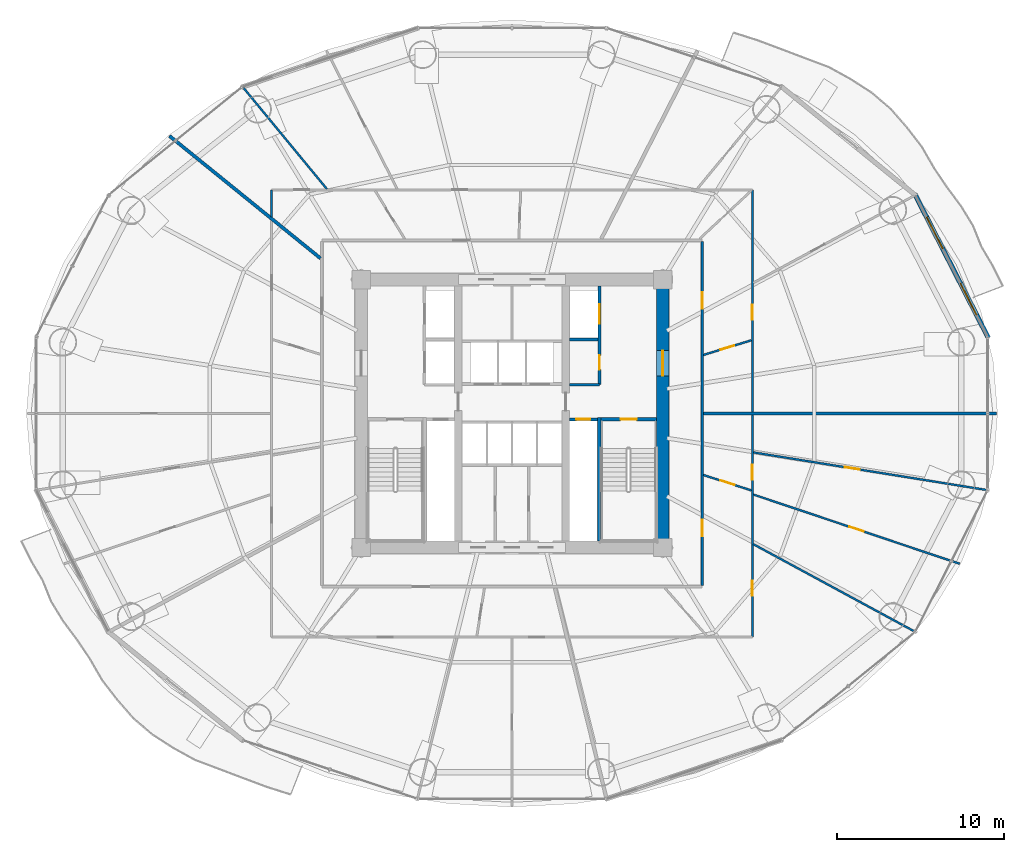
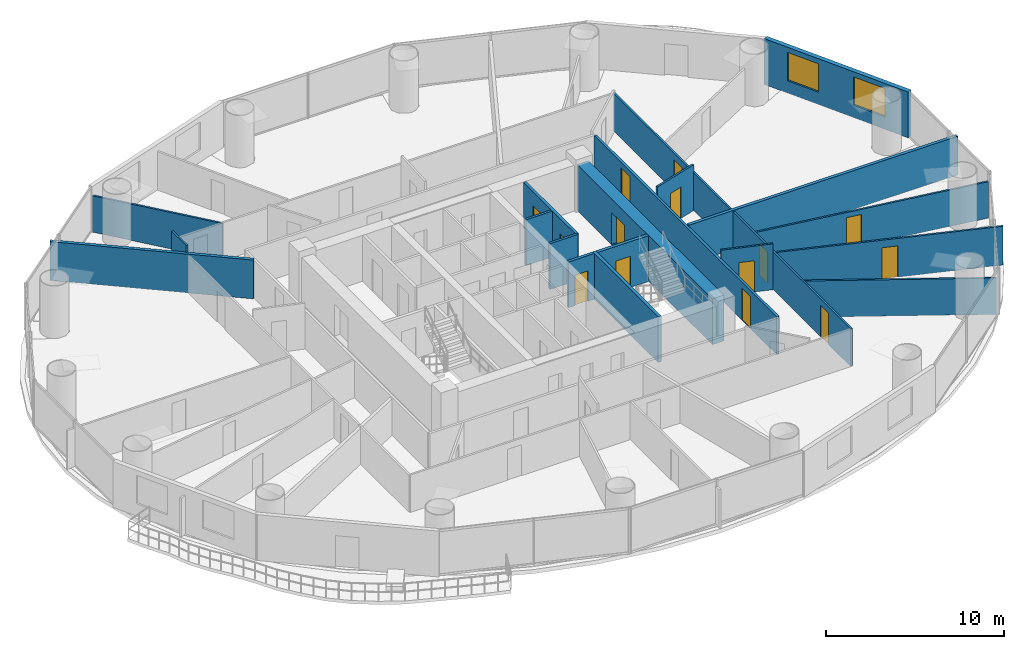
# One storey, part 24 of 29: 20 walls, 14 doors, 2 windows, 16 openings.
"""IFC4 building model written with IfcOpenShell, lengths in metres."""

from ifc_helpers import new_model, si_unit, direction, frame, frame_2d, origin, place, context, subcontext, project, spatial, rectangle, extrude, source, transform, mapped, material, layer, layer_set, type_object, element, fill, save


model = new_model("IFC4")

# Units and contexts
model_context = context("Model", 3, precision=1e-05, world=origin(), true_north=direction((-0.2419218956, 0.970295726276)))
body_context = subcontext(model_context, "Body", "Model", "MODEL_VIEW")
ifc_project = project(units=[si_unit("LENGTHUNIT", "METRE"), si_unit("AREAUNIT", "SQUARE_METRE"), si_unit("VOLUMEUNIT", "CUBIC_METRE"), si_unit("PLANEANGLEUNIT", "RADIAN"), si_unit("MASSUNIT", "GRAM", prefix="KILO")], contexts=[model_context])

# Site, building, storey
site_placement = place(None, origin())
site = spatial("IfcSite", under=ifc_project, at=site_placement, CompositionType="ELEMENT")
building_placement = place(site_placement, origin())
building = spatial("IfcBuilding", under=site, at=building_placement, Name="Cobrevalo Terracotta Tower", CompositionType="ELEMENT")
storey_placement = place(building_placement, frame((0.0, 0.0, 70.800048828125)))
storey = spatial("IfcBuildingStorey", under=building, at=storey_placement, Name="L18", CompositionType="ELEMENT", Elevation=70.800048828125)

# Wall, opening, door
ifc_material_1 = material(Name="Concrete C60", Category="concrete")
ifc_layer_1 = layer(ifc_material_1, 0.75)
ifc_layer_set_1 = layer_set([ifc_layer_1], Name="Concrete C60")
wall_type_1 = type_object("IfcWallType", Name="Core shear wall 750 mm Concrete C60", PredefinedType="SHEAR", material=ifc_layer_set_1)
wall_1_placement = place(storey_placement, frame((47.0, 19.175048828125, 0.0), z_axis=(0.0, 0.0, 1.0), x_axis=(0.0, 1.0, 0.0)))
wall_1 = element("IfcWall", 1, at=wall_1_placement, inside=storey, type_object=wall_type_1, Name="L18 east core shear wall", PredefinedType="SHEAR", context=body_context, shape_type="SweptSolid", body=[
    extrude(rectangle(XDim=15.25, YDim=0.75, at=frame_2d((7.625, 0.0))), origin(), (0.0, 0.0, 1.0), 3.14990234375),
])
opening_1_placement = place(wall_1_placement, frame((9.875, 0.0, 0.0)))
opening_1 = element("IfcOpeningElement", 2, at=opening_1_placement, cuts=wall_1, Name="Opening ID-14", PredefinedType="OPENING", context=body_context, shape_type="SweptSolid", body=[
    extrude(rectangle(XDim=1.5, YDim=2.199951171875, at=frame_2d((0.75, 1.10009765625))), frame((0.0, 0.385009765625, 0.0), z_axis=(0.0, -1.0, 0.0), x_axis=(1.0, 0.0, 0.0)), (0.0, 0.0, 1.0), 0.77001953125),
])
ifc_material_2 = material(Name="Galvanized fire-rated steel", Category="steel")
door_type_1 = type_object("IfcDoorType", Name="Core cross-lobby double fire door 1500x2200 EI 90", OperationType="NOTDEFINED", PredefinedType="DOOR", material=ifc_material_2)
shared_shape_1 = source(origin(), body_context, "Body", "SweptSolid", [
    extrude(rectangle(XDim=1.5, YDim=2.199951171875, at=frame_2d((0.75, 1.10009765625))), frame((0.0, 0.02490234375, 0.0), z_axis=(0.0, -1.0, 0.0), x_axis=(1.0, 0.0, 0.0)), (0.0, 0.0, 1.0), 0.050048828125),
])
door_1_placement = place(opening_1_placement, frame((1.5, 0.0, 0.0), z_axis=(0.0, 0.0, 1.0), x_axis=(-1.0, 0.0, 0.0)))
door_1 = element("IfcDoor", 3, at=door_1_placement, inside=storey, type_object=door_type_1, Name="L18 east firefighting lobby entrance door", OperationType="DOUBLE_DOOR_SINGLE_SWING", OverallHeight=2.199951171875, OverallWidth=1.5, PredefinedType="DOOR", context=body_context, shape_type="MappedRepresentation", body=[
    mapped(shared_shape_1, transform((0.0, 0.0, 0.0), scale=1.0)),
])
fill(opening_1, door_1)

# Walls
ifc_material_3 = material(Name="Gypsum board on steel stud", Category="steel")
ifc_layer_2 = layer(ifc_material_3, 0.159912109375)
ifc_layer_set_2 = layer_set([ifc_layer_2], Name="Gypsum board on steel stud")
wall_type_2 = type_object("IfcWallType", Name="Fire-rated corridor acoustic partition wall 160 mm", PredefinedType="PARTITIONING", material=ifc_layer_set_2)
wall_2_placement = place(storey_placement, frame((41.425048828125, 31.219970703125, 0.0), z_axis=(0.0, 0.0, 1.0), x_axis=(1.0, 0.0, 0.0)))
element("IfcWall", 4, at=wall_2_placement, inside=storey, type_object=wall_type_2, Name="L18 interior partition IW-L18-FF2-M", PredefinedType="PARTITIONING", context=body_context, shape_type="SweptSolid", body=[
    extrude(rectangle(XDim=1.71484375, YDim=0.159912109375, at=frame_2d((0.857421875, 0.0))), origin(), (0.0, 0.0, 1.0), 3.14990234375),
])
wall_3_placement = place(storey_placement, frame((41.425048828125, 28.52001953125, 0.0), z_axis=(0.0, 0.0, 1.0), x_axis=(1.0, 0.0, 0.0)))
element("IfcWall", 5, at=wall_3_placement, inside=storey, type_object=wall_type_2, Name="L18 interior partition IW-L18-FF2-S", PredefinedType="PARTITIONING", context=body_context, shape_type="SweptSolid", body=[
    extrude(rectangle(XDim=1.804931640625, YDim=0.159912109375, at=frame_2d((0.90234375, 0.0))), origin(), (0.0, 0.0, 1.0), 3.14990234375),
])

# Wall, openings, doors
wall_4_placement = place(storey_placement, frame((49.35498046875, 16.52490234375, 0.0), z_axis=(0.0, 0.0, 1.0), x_axis=(0.0, 1.0, 0.0)))
wall_4 = element("IfcWall", 6, at=wall_4_placement, inside=storey, type_object=wall_type_2, Name="L18 interior partition IW-L18-COR-E", PredefinedType="PARTITIONING", context=body_context, shape_type="SweptSolid", body=[
    extrude(rectangle(XDim=20.550048828125, YDim=0.159912109375, at=frame_2d((10.27490234375, 0.0))), origin(), (0.0, 0.0, 1.0), 2.595947265625),
])
opening_2_placement = place(wall_4_placement, frame((16.537109375, 0.0, 0.0)))
opening_2 = element("IfcOpeningElement", 7, at=opening_2_placement, cuts=wall_4, Name="Opening ID-05", PredefinedType="OPENING", context=body_context, shape_type="SweptSolid", body=[
    extrude(rectangle(XDim=0.97998046875, YDim=2.199951171875, at=frame_2d((0.489990234375, 1.10009765625))), frame((0.0, 0.08984375, 0.0), z_axis=(0.0, -1.0, 0.0), x_axis=(1.0, 0.0, 0.0)), (0.0, 0.0, 1.0), 0.179931640625),
])
opening_3_placement = place(wall_4_placement, frame((2.944580078125, 0.0, 0.0)))
opening_3 = element("IfcOpeningElement", 8, at=opening_3_placement, cuts=wall_4, Name="Opening ID-05", PredefinedType="OPENING", context=body_context, shape_type="SweptSolid", body=[
    extrude(rectangle(XDim=0.97998046875, YDim=2.199951171875, at=frame_2d((0.489990234375, 1.10009765625))), frame((0.0, 0.08984375, 0.0), z_axis=(0.0, -1.0, 0.0), x_axis=(1.0, 0.0, 0.0)), (0.0, 0.0, 1.0), 0.179931640625),
])
ifc_material_4 = material(Name="Solid hardwood timber", Category="wood")
door_type_2 = type_object("IfcDoorType", Name="Residence entrance fire-rated acoustic timber door 980x2200 EI 60", OperationType="NOTDEFINED", PredefinedType="DOOR", material=ifc_material_4)
shared_shape_2 = source(origin(), body_context, "Body", "SweptSolid", [
    extrude(rectangle(XDim=0.97998046875, YDim=2.199951171875, at=frame_2d((0.489990234375, 1.10009765625))), frame((0.0, 0.02490234375, 0.0), z_axis=(0.0, -1.0, 0.0), x_axis=(1.0, 0.0, 0.0)), (0.0, 0.0, 1.0), 0.050048828125),
])
door_2_placement = place(opening_2_placement, frame((0.97998046875, 0.0, 0.0), z_axis=(0.0, 0.0, 1.0), x_axis=(-1.0, 0.0, 0.0)))
door_2 = element("IfcDoor", 9, at=door_2_placement, inside=storey, type_object=door_type_2, Name="Flat L18A fire-rated apartment entrance door", OperationType="SINGLE_SWING_LEFT", OverallHeight=2.199951171875, OverallWidth=0.97998046875, PredefinedType="DOOR", context=body_context, shape_type="MappedRepresentation", body=[
    mapped(shared_shape_2, transform((0.0, 0.0, 0.0), scale=1.0)),
])
fill(opening_2, door_2)
door_3_placement = place(opening_3_placement, frame((0.97998046875, 0.0, 0.0), z_axis=(0.0, 0.0, 1.0), x_axis=(-1.0, 0.0, 0.0)))
door_3 = element("IfcDoor", 10, at=door_3_placement, inside=storey, type_object=door_type_2, Name="Flat L18E fire-rated apartment entrance door", OperationType="SINGLE_SWING_RIGHT", OverallHeight=2.199951171875, OverallWidth=0.97998046875, PredefinedType="DOOR", context=body_context, shape_type="MappedRepresentation", body=[
    mapped(shared_shape_2, transform((0.0, 0.0, 0.0), scale=1.0)),
])
fill(opening_3, door_3)

# Wall, opening, door
ifc_layer_3 = layer(ifc_material_3, 0.179931640625)
ifc_layer_set_3 = layer_set([ifc_layer_3], Name="Gypsum board on steel stud")
wall_type_3 = type_object("IfcWallType", Name="Fire-rated shaft & lobby acoustic partition wall 180 mm", PredefinedType="PARTITIONING", material=ifc_layer_set_3)
wall_5_placement = place(storey_placement, frame((41.425048828125, 26.449951171875, 0.0), z_axis=(0.0, 0.0, 1.0), x_axis=(1.0, 0.0, 0.0)))
wall_5 = element("IfcWall", 11, at=wall_5_placement, inside=storey, type_object=wall_type_3, Name="L18 interior partition IW-L18-RSE-N", PredefinedType="PARTITIONING", context=body_context, shape_type="SweptSolid", body=[
    extrude(rectangle(XDim=1.675048828125, YDim=0.179931640625, at=frame_2d((0.83740234375, 0.0))), origin(), (0.0, 0.0, 1.0), 3.14990234375),
])
opening_4_placement = place(wall_5_placement, frame((0.41259765625, 0.0, 0.0)))
opening_4 = element("IfcOpeningElement", 12, at=opening_4_placement, cuts=wall_5, Name="Opening ID-22", PredefinedType="OPENING", context=body_context, shape_type="SweptSolid", body=[
    extrude(rectangle(XDim=0.85009765625, YDim=2.10009765625, at=frame_2d((0.425048828125, 1.050048828125))), frame((0.0, 0.10009765625, 0.0), z_axis=(0.0, -1.0, 0.0), x_axis=(1.0, 0.0, 0.0)), (0.0, 0.0, 1.0), 0.199951171875),
])
ifc_material_5 = material(Name="Powder-coated steel", Category="steel")
door_type_3 = type_object("IfcDoorType", Name="Riser shaft & meter closet fire access door 850x2100 EI 60", OperationType="NOTDEFINED", PredefinedType="DOOR", material=ifc_material_5)
shared_shape_3 = source(origin(), body_context, "Body", "SweptSolid", [
    extrude(rectangle(XDim=0.85009765625, YDim=2.10009765625, at=frame_2d((0.425048828125, 1.050048828125))), frame((0.0, 0.02490234375, 0.0), z_axis=(0.0, -1.0, 0.0), x_axis=(1.0, 0.0, 0.0)), (0.0, 0.0, 1.0), 0.050048828125),
])
door_4_placement = place(opening_4_placement, origin())
door_4 = element("IfcDoor", 13, at=door_4_placement, inside=storey, type_object=door_type_3, Name="L18 riser access door RSE", OperationType="SINGLE_SWING_RIGHT", OverallHeight=2.10009765625, OverallWidth=0.85009765625, PredefinedType="DOOR", context=body_context, shape_type="MappedRepresentation", body=[
    mapped(shared_shape_3, transform((0.0, 0.0, 0.0), scale=1.0)),
])
fill(opening_4, door_4)

# Wall, openings, doors
wall_6_placement = place(storey_placement, frame((43.22998046875, 28.52001953125, 0.0), z_axis=(0.0, 0.0, 1.0), x_axis=(0.0, 1.0, 0.0)))
wall_6 = element("IfcWall", 14, at=wall_6_placement, inside=storey, type_object=wall_type_3, Name="L18 interior partition IW-L18-FF2-E", PredefinedType="PARTITIONING", context=body_context, shape_type="SweptSolid", body=[
    extrude(rectangle(XDim=5.905029296875, YDim=0.179931640625, at=frame_2d((2.95263671875, 0.0))), origin(), (0.0, 0.0, 1.0), 3.14990234375),
])
opening_5_placement = place(wall_6_placement, frame((0.905029296875, 0.0, 0.0)))
opening_5 = element("IfcOpeningElement", 15, at=opening_5_placement, cuts=wall_6, Name="Opening ID-22", PredefinedType="OPENING", context=body_context, shape_type="SweptSolid", body=[
    extrude(rectangle(XDim=0.85009765625, YDim=2.10009765625, at=frame_2d((0.425048828125, 1.050048828125))), frame((0.0, 0.10009765625, 0.0), z_axis=(0.0, -1.0, 0.0), x_axis=(1.0, 0.0, 0.0)), (0.0, 0.0, 1.0), 0.199951171875),
])
opening_6_placement = place(wall_6_placement, frame((3.655029296875, 0.0, 0.0)))
opening_6 = element("IfcOpeningElement", 16, at=opening_6_placement, cuts=wall_6, Name="Opening LD-02", PredefinedType="OPENING", context=body_context, shape_type="SweptSolid", body=[
    extrude(rectangle(XDim=1.14990234375, YDim=2.199951171875, at=frame_2d((0.574951171875, 1.10009765625))), frame((0.0, 0.10009765625, 0.0), z_axis=(0.0, -1.0, 0.0), x_axis=(1.0, 0.0, 0.0)), (0.0, 0.0, 1.0), 0.199951171875),
])
door_5_placement = place(opening_5_placement, frame((0.85009765625, 0.0, 0.0), z_axis=(0.0, 0.0, 1.0), x_axis=(-1.0, 0.0, 0.0)))
door_5 = element("IfcDoor", 17, at=door_5_placement, inside=storey, type_object=door_type_3, Name="L18 housekeeping store door", OperationType="SINGLE_SWING_RIGHT", OverallHeight=2.10009765625, OverallWidth=0.85009765625, PredefinedType="DOOR", context=body_context, shape_type="MappedRepresentation", body=[
    mapped(shared_shape_3, transform((0.0, 0.0, 0.0), scale=1.0)),
])
fill(opening_5, door_5)
ifc_material_6 = material(Name="Brushed stainless steel", Category="steel")
door_type_4 = type_object("IfcDoorType", Name="Firefighting lift landing bi-parting sliding door 1150x2200 EI 120", OperationType="DOUBLE_DOOR_SLIDING", PredefinedType="DOOR", material=ifc_material_6)
shared_shape_4 = source(origin(), body_context, "Body", "SweptSolid", [
    extrude(rectangle(XDim=1.14990234375, YDim=2.199951171875, at=frame_2d((0.574951171875, 1.10009765625))), frame((0.0, 0.02490234375, 0.0), z_axis=(0.0, -1.0, 0.0), x_axis=(1.0, 0.0, 0.0)), (0.0, 0.0, 1.0), 0.050048828125),
])
door_6_placement = place(opening_6_placement, origin())
door_6 = element("IfcDoor", 18, at=door_6_placement, inside=storey, type_object=door_type_4, Name="L18 lift landing door FF-2", OperationType="DOUBLE_DOOR_SLIDING", OverallHeight=2.199951171875, OverallWidth=1.14990234375, PredefinedType="DOOR", context=body_context, shape_type="MappedRepresentation", body=[
    mapped(shared_shape_4, transform((0.0, 0.0, 0.0), scale=1.0)),
])
fill(opening_6, door_6)

# Walls
ifc_material_7 = material(Name="Autoclaved aerated concrete block", Category="concrete")
ifc_layer_4 = layer(ifc_material_7, 0.199951171875)
ifc_layer_set_4 = layer_set([ifc_layer_4], Name="Autoclaved aerated concrete block")
wall_type_4 = type_object("IfcWallType", Name="Fire-rated stair, shaft & demising masonry wall 200 mm", PredefinedType="PARTITIONING", material=ifc_layer_set_4)
wall_7_placement = place(storey_placement, frame((49.43505859375, 26.800048828125, 0.0), z_axis=(0.0, 0.0, 1.0), x_axis=(1.0, 0.0, 0.0)))
element("IfcWall", 19, at=wall_7_placement, inside=storey, type_object=wall_type_4, Name="L18 interior partition IW-L18-DEM-1", PredefinedType="PARTITIONING", context=body_context, shape_type="SweptSolid", body=[
    extrude(rectangle(XDim=17.5048828125, YDim=0.199951171875, at=frame_2d((8.75244140625, 0.0))), origin(), (0.0, 0.0, 1.0), 2.666015625),
])
wall_8_placement = place(storey_placement, frame((26.56494140625, 36.06640625, 0.0), z_axis=(0.0, 0.0, 1.0), x_axis=(-0.77693672952, 0.629578683186, 0.0)))
element("IfcWall", 20, at=wall_8_placement, inside=storey, type_object=wall_type_4, Name="L18 interior partition IW-L18-DEM-3", PredefinedType="PARTITIONING", context=body_context, shape_type="SweptSolid", body=[
    extrude(rectangle(XDim=11.609130859375, YDim=0.199951171875, at=frame_2d((5.8046875, 0.0))), origin(), (0.0, 0.0, 1.0), 2.666015625),
])

# Wall, openings, windows
ifc_layer_5 = layer(ifc_material_7, 0.280029296875)
ifc_layer_set_5 = layer_set([ifc_layer_5], Name="Autoclaved aerated concrete block")
wall_type_5 = type_object("IfcWallType", Name="Insulated tower spandrel & pier wall 280 mm with terracotta rainscreen", PredefinedType="SOLIDWALL", material=ifc_layer_set_5)
wall_9_placement = place(storey_placement, frame((66.44970703125, 31.3076171875, 0.0), z_axis=(0.0, 0.0, 1.0), x_axis=(-0.45523081716, 0.890373462715, 0.0)))
wall_9 = element("IfcWall", 21, at=wall_9_placement, inside=storey, type_object=wall_type_5, Name="L18 terracotta rainscreen pier wall S01", PredefinedType="SOLIDWALL", context=body_context, shape_type="SweptSolid", body=[
    extrude(rectangle(XDim=9.662109375, YDim=0.280029296875, at=frame_2d((4.8310546875, 0.0))), origin(), (0.0, 0.0, 1.0), 3.14990234375),
])
opening_7_placement = place(wall_9_placement, frame((1.558837890625, 0.0, 0.85009765625)))
opening_7 = element("IfcOpeningElement", 22, at=opening_7_placement, cuts=wall_9, Name="Opening WN-10", PredefinedType="OPENING", context=body_context, shape_type="SweptSolid", body=[
    extrude(rectangle(XDim=2.10009765625, YDim=1.949951171875, at=frame_2d((1.050048828125, 0.97509765625))), frame((0.0, 0.14990234375, 0.0), z_axis=(0.0, -1.0, 0.0), x_axis=(1.0, 0.0, 0.0)), (0.0, 0.0, 1.0), 0.300048828125),
])
opening_8_placement = place(wall_9_placement, frame((6.00341796875, 0.0, 0.85009765625)))
opening_8 = element("IfcOpeningElement", 23, at=opening_8_placement, cuts=wall_9, Name="Opening WN-10", PredefinedType="OPENING", context=body_context, shape_type="SweptSolid", body=[
    extrude(rectangle(XDim=2.10009765625, YDim=1.949951171875, at=frame_2d((1.050048828125, 0.97509765625))), frame((0.0, 0.14990234375, 0.0), z_axis=(0.0, -1.0, 0.0), x_axis=(1.0, 0.0, 0.0)), (0.0, 0.0, 1.0), 0.300048828125),
])
ifc_material_8 = material(Name="Solar-control low-E double glazing", Category="glass")
window_type = type_object("IfcWindowType", Name="Wide panoramic low-E aluminium window 2100x1950", PartitioningType="SINGLE_PANEL", PredefinedType="WINDOW", material=ifc_material_8)
shared_shape_5 = source(origin(), body_context, "Body", "SweptSolid", [
    extrude(rectangle(XDim=2.10009765625, YDim=1.949951171875, at=frame_2d((1.050048828125, 0.97509765625))), frame((0.0, 0.030029296875, 0.0), z_axis=(0.0, -1.0, 0.0), x_axis=(1.0, 0.0, 0.0)), (0.0, 0.0, 1.0), 0.06005859375),
])
window_1_placement = place(opening_7_placement, origin())
window_1 = element("IfcWindow", 24, at=window_1_placement, inside=storey, type_object=window_type, Name="L18 suite window S01A", OverallHeight=1.949951171875, OverallWidth=2.10009765625, PartitioningType="SINGLE_PANEL", PredefinedType="WINDOW", context=body_context, shape_type="MappedRepresentation", body=[
    mapped(shared_shape_5, transform((0.0, 0.0, 0.0), scale=1.0)),
])
fill(opening_7, window_1)
window_2_placement = place(opening_8_placement, origin())
window_2 = element("IfcWindow", 25, at=window_2_placement, inside=storey, type_object=window_type, Name="L18 suite window S01B", OverallHeight=1.949951171875, OverallWidth=2.10009765625, PartitioningType="SINGLE_PANEL", PredefinedType="WINDOW", context=body_context, shape_type="MappedRepresentation", body=[
    mapped(shared_shape_5, transform((0.0, 0.0, 0.0), scale=1.0)),
])
fill(opening_8, window_2)

# Wall, opening, door
ifc_layer_6 = layer(ifc_material_3, 0.1201171875)
ifc_layer_set_6 = layer_set([ifc_layer_6], Name="Gypsum board on steel stud")
wall_type_6 = type_object("IfcWallType", Name="Residential internal acoustic stud partition 120 mm", PredefinedType="PARTITIONING", material=ifc_layer_set_6)
wall_10_placement = place(storey_placement, frame((52.35498046875, 40.155029296875, 0.0), z_axis=(0.0, 0.0, 1.0), x_axis=(0.0, -1.0, 0.0)))
wall_10 = element("IfcWall", 26, at=wall_10_placement, inside=storey, type_object=wall_type_6, Name="L18 interior partition IW-L18-U1-RING1_0", PredefinedType="PARTITIONING", context=body_context, shape_type="SweptSolid", body=[
    extrude(rectangle(XDim=13.2529296875, YDim=0.1201171875, at=frame_2d((6.62646484375, 0.0))), origin(), (0.0, 0.0, 1.0), 2.595947265625),
])
opening_9_placement = place(wall_10_placement, frame((6.8525390625, 0.0, 0.0)))
opening_9 = element("IfcOpeningElement", 27, at=opening_9_placement, cuts=wall_10, Name="Opening ID-12", PredefinedType="OPENING", context=body_context, shape_type="SweptSolid", body=[
    extrude(rectangle(XDim=0.89990234375, YDim=2.14990234375, at=frame_2d((0.449951171875, 1.074951171875))), frame((0.0, 0.070068359375, 0.0), z_axis=(0.0, -1.0, 0.0), x_axis=(1.0, 0.0, 0.0)), (0.0, 0.0, 1.0), 0.14013671875),
])
ifc_material_9 = material(Name="Engineered timber", Category="wood")
door_type_5 = type_object("IfcDoorType", Name="Internal residence & suite timber door 900x2150", OperationType="NOTDEFINED", PredefinedType="DOOR", material=ifc_material_9)
shared_shape_6 = source(origin(), body_context, "Body", "SweptSolid", [
    extrude(rectangle(XDim=0.89990234375, YDim=2.14990234375, at=frame_2d((0.449951171875, 1.074951171875))), frame((0.0, 0.02490234375, 0.0), z_axis=(0.0, -1.0, 0.0), x_axis=(1.0, 0.0, 0.0)), (0.0, 0.0, 1.0), 0.050048828125),
])
door_7_placement = place(opening_9_placement, origin())
door_7 = element("IfcDoor", 28, at=door_7_placement, inside=storey, type_object=door_type_5, Name="Flat L18A Penthouse Living and Dining Room internal door", OperationType="SINGLE_SWING_LEFT", OverallHeight=2.14990234375, OverallWidth=0.89990234375, PredefinedType="DOOR", context=body_context, shape_type="MappedRepresentation", body=[
    mapped(shared_shape_6, transform((0.0, 0.0, 0.0), scale=1.0)),
])
fill(opening_9, door_7)

wall_11_placement = place(storey_placement, frame((49.43505859375, 30.29736328125, 0.0), z_axis=(0.0, 0.0, 1.0), x_axis=(0.956264731785, 0.292502585877, 0.0)))
wall_11 = element("IfcWall", 29, at=wall_11_placement, inside=storey, type_object=wall_type_6, Name="L18 interior partition IW-L18-U1-IRAD1", PredefinedType="PARTITIONING", context=body_context, shape_type="SweptSolid", body=[
    extrude(rectangle(XDim=2.991455078125, YDim=0.1201171875, at=frame_2d((1.49560546875, 0.0))), origin(), (0.0, 0.0, 1.0), 3.14990234375),
])
opening_10_placement = place(wall_11_placement, frame((1.06591796875, 0.0, 0.0)))
opening_10 = element("IfcOpeningElement", 30, at=opening_10_placement, cuts=wall_11, Name="Opening ID-19", PredefinedType="OPENING", context=body_context, shape_type="SweptSolid", body=[
    extrude(rectangle(XDim=0.860107421875, YDim=2.14990234375, at=frame_2d((0.43017578125, 1.074951171875))), frame((0.0, 0.070068359375, 0.0), z_axis=(0.0, -1.0, 0.0), x_axis=(1.0, 0.0, 0.0)), (0.0, 0.0, 1.0), 0.14013671875),
])
ifc_material_10 = material(Name="Moisture-sealed timber", Category="wood")
door_type_6 = type_object("IfcDoorType", Name="Suite bathroom internal timber door 860x2150", OperationType="NOTDEFINED", PredefinedType="DOOR", material=ifc_material_10)
shared_shape_7 = source(origin(), body_context, "Body", "SweptSolid", [
    extrude(rectangle(XDim=0.860107421875, YDim=2.14990234375, at=frame_2d((0.43017578125, 1.074951171875))), frame((0.0, 0.02490234375, 0.0), z_axis=(0.0, -1.0, 0.0), x_axis=(1.0, 0.0, 0.0)), (0.0, 0.0, 1.0), 0.050048828125),
])
door_8_placement = place(opening_10_placement, frame((0.860107421875, 0.0, 0.0), z_axis=(0.0, 0.0, 1.0), x_axis=(-1.0, 0.0, 0.0)))
door_8 = element("IfcDoor", 31, at=door_8_placement, inside=storey, type_object=door_type_6, Name="Flat L18A Primary Bathroom internal door", OperationType="SINGLE_SWING_RIGHT", OverallHeight=2.14990234375, OverallWidth=0.860107421875, PredefinedType="DOOR", context=body_context, shape_type="MappedRepresentation", body=[
    mapped(shared_shape_7, transform((0.0, 0.0, 0.0), scale=1.0)),
])
fill(opening_10, door_8)

# Walls
wall_12_placement = place(storey_placement, frame((23.64501953125, 38.534423828125, 0.0), z_axis=(0.0, 0.0, 1.0), x_axis=(0.0, 1.0, 0.0)))
element("IfcWall", 32, at=wall_12_placement, inside=storey, type_object=wall_type_6, Name="L18 interior partition IW-L18-U2-RING0_0", PredefinedType="PARTITIONING", context=body_context, shape_type="SweptSolid", body=[
    extrude(rectangle(XDim=1.62060546875, YDim=0.1201171875, at=frame_2d((0.810302734375, 0.0))), origin(), (0.0, 0.0, 1.0), 3.14990234375),
])
wall_13_placement = place(storey_placement, frame((26.948486328125, 40.202880859375, 0.0), z_axis=(0.0, 0.0, 1.0), x_axis=(-0.636191994442, 0.771530781115, 0.0)))
element("IfcWall", 33, at=wall_13_placement, inside=storey, type_object=wall_type_6, Name="L18 interior partition IW-L18-U2-ORAD2M1", PredefinedType="PARTITIONING", context=body_context, shape_type="SweptSolid", body=[
    extrude(rectangle(XDim=7.836181640625, YDim=0.1201171875, at=frame_2d((3.91796875, 0.0))), origin(), (0.0, 0.0, 1.0), 2.5),
])

# Wall, openings, doors
wall_14_placement = place(storey_placement, frame((52.35498046875, 26.697998046875, 0.0), z_axis=(0.0, 0.0, 1.0), x_axis=(0.0, -1.0, 0.0)))
wall_14 = element("IfcWall", 34, at=wall_14_placement, inside=storey, type_object=wall_type_6, Name="L18 interior partition IW-L18-U5-RING0_0", PredefinedType="PARTITIONING", context=body_context, shape_type="SweptSolid", body=[
    extrude(rectangle(XDim=13.2529296875, YDim=0.1201171875, at=frame_2d((6.62646484375, 0.0))), origin(), (0.0, 0.0, 1.0), 2.595947265625),
])
opening_11_placement = place(wall_14_placement, frame((9.891845703125, 0.0, 0.0)))
opening_11 = element("IfcOpeningElement", 35, at=opening_11_placement, cuts=wall_14, Name="Opening ID-12", PredefinedType="OPENING", context=body_context, shape_type="SweptSolid", body=[
    extrude(rectangle(XDim=0.89990234375, YDim=2.14990234375, at=frame_2d((0.449951171875, 1.074951171875))), frame((0.0, 0.070068359375, 0.0), z_axis=(0.0, -1.0, 0.0), x_axis=(1.0, 0.0, 0.0)), (0.0, 0.0, 1.0), 0.14013671875),
])
opening_12_placement = place(wall_14_placement, frame((2.951171875, 0.0, 0.0)))
opening_12 = element("IfcOpeningElement", 36, at=opening_12_placement, cuts=wall_14, Name="Opening ID-12", PredefinedType="OPENING", context=body_context, shape_type="SweptSolid", body=[
    extrude(rectangle(XDim=0.89990234375, YDim=2.14990234375, at=frame_2d((0.449951171875, 1.074951171875))), frame((0.0, 0.070068359375, 0.0), z_axis=(0.0, -1.0, 0.0), x_axis=(1.0, 0.0, 0.0)), (0.0, 0.0, 1.0), 0.14013671875),
])
door_9_placement = place(opening_11_placement, frame((0.89990234375, 0.0, 0.0), z_axis=(0.0, 0.0, 1.0), x_axis=(-1.0, 0.0, 0.0)))
door_9 = element("IfcDoor", 37, at=door_9_placement, inside=storey, type_object=door_type_5, Name="Flat L18E Penthouse Living and Dining Room internal door", OperationType="SINGLE_SWING_RIGHT", OverallHeight=2.14990234375, OverallWidth=0.89990234375, PredefinedType="DOOR", context=body_context, shape_type="MappedRepresentation", body=[
    mapped(shared_shape_6, transform((0.0, 0.0, 0.0), scale=1.0)),
])
fill(opening_11, door_9)
door_10_placement = place(opening_12_placement, origin())
door_10 = element("IfcDoor", 38, at=door_10_placement, inside=storey, type_object=door_type_5, Name="Flat L18E Penthouse Family Lounge internal door", OperationType="SINGLE_SWING_RIGHT", OverallHeight=2.14990234375, OverallWidth=0.89990234375, PredefinedType="DOOR", context=body_context, shape_type="MappedRepresentation", body=[
    mapped(shared_shape_6, transform((0.0, 0.0, 0.0), scale=1.0)),
])
fill(opening_12, door_10)

# Wall
wall_15_placement = place(storey_placement, frame((52.409423828125, 18.997802734375, 0.0), z_axis=(0.0, 0.0, 1.0), x_axis=(0.879373936002, -0.476131789193, 0.0)))
element("IfcWall", 39, at=wall_15_placement, inside=storey, type_object=wall_type_6, Name="L18 interior partition IW-L18-U5-ORAD1", PredefinedType="PARTITIONING", context=body_context, shape_type="SweptSolid", body=[
    extrude(rectangle(XDim=10.91259765625, YDim=0.1201171875, at=frame_2d((5.456298828125, 0.0))), origin(), (0.0, 0.0, 1.0), 2.5),
])

# Wall, opening, door
wall_16_placement = place(storey_placement, frame((52.413818359375, 21.9619140625, 0.0), z_axis=(0.0, 0.0, 1.0), x_axis=(0.948021751459, -0.318205529118, 0.0)))
wall_16 = element("IfcWall", 40, at=wall_16_placement, inside=storey, type_object=wall_type_6, Name="L18 interior partition IW-L18-U5-ORAD2M1", PredefinedType="PARTITIONING", context=body_context, shape_type="SweptSolid", body=[
    extrude(rectangle(XDim=12.993896484375, YDim=0.1201171875, at=frame_2d((6.4970703125, 0.0))), origin(), (0.0, 0.0, 1.0), 2.666015625),
])
opening_13_placement = place(wall_16_placement, frame((6.047119140625, 0.0, 0.0)))
opening_13 = element("IfcOpeningElement", 41, at=opening_13_placement, cuts=wall_16, Name="Opening ID-12", PredefinedType="OPENING", context=body_context, shape_type="SweptSolid", body=[
    extrude(rectangle(XDim=0.89990234375, YDim=2.14990234375, at=frame_2d((0.449951171875, 1.074951171875))), frame((0.0, 0.070068359375, 0.0), z_axis=(0.0, -1.0, 0.0), x_axis=(1.0, 0.0, 0.0)), (0.0, 0.0, 1.0), 0.14013671875),
])
door_11_placement = place(opening_13_placement, frame((0.89990234375, 0.0, 0.0), z_axis=(0.0, 0.0, 1.0), x_axis=(-1.0, 0.0, 0.0)))
door_11 = element("IfcDoor", 42, at=door_11_placement, inside=storey, type_object=door_type_5, Name="Flat L18E Master Bedroom internal door", OperationType="SINGLE_SWING_RIGHT", OverallHeight=2.14990234375, OverallWidth=0.89990234375, PredefinedType="DOOR", context=body_context, shape_type="MappedRepresentation", body=[
    mapped(shared_shape_6, transform((0.0, 0.0, 0.0), scale=1.0)),
])
fill(opening_13, door_11)

wall_17_placement = place(storey_placement, frame((52.416259765625, 24.476318359375, 0.0), z_axis=(0.0, 0.0, 1.0), x_axis=(0.987257727093, -0.159129445092, 0.0)))
wall_17 = element("IfcWall", 43, at=wall_17_placement, inside=storey, type_object=wall_type_6, Name="L18 interior partition IW-L18-U5-ORAD2M2", PredefinedType="PARTITIONING", context=body_context, shape_type="SweptSolid", body=[
    extrude(rectangle(XDim=14.085693359375, YDim=0.1201171875, at=frame_2d((7.04296875, 0.0))), origin(), (0.0, 0.0, 1.0), 2.5),
])
opening_14_placement = place(wall_17_placement, frame((5.522216796875, 0.0, 0.0)))
opening_14 = element("IfcOpeningElement", 44, at=opening_14_placement, cuts=wall_17, Name="Opening ID-12", PredefinedType="OPENING", context=body_context, shape_type="SweptSolid", body=[
    extrude(rectangle(XDim=0.89990234375, YDim=2.14990234375, at=frame_2d((0.449951171875, 1.074951171875))), frame((0.0, 0.070068359375, 0.0), z_axis=(0.0, -1.0, 0.0), x_axis=(1.0, 0.0, 0.0)), (0.0, 0.0, 1.0), 0.14013671875),
])
door_12_placement = place(opening_14_placement, origin())
door_12 = element("IfcDoor", 45, at=door_12_placement, inside=storey, type_object=door_type_5, Name="Flat L18E Penthouse Family Lounge internal door", OperationType="SINGLE_SWING_LEFT", OverallHeight=2.14990234375, OverallWidth=0.89990234375, PredefinedType="DOOR", context=body_context, shape_type="MappedRepresentation", body=[
    mapped(shared_shape_6, transform((0.0, 0.0, 0.0), scale=1.0)),
])
fill(opening_14, door_12)

wall_18_placement = place(storey_placement, frame((49.43505859375, 23.1259765625, 0.0), z_axis=(0.0, 0.0, 1.0), x_axis=(0.952040395248, -0.305972361197, 0.0)))
wall_18 = element("IfcWall", 46, at=wall_18_placement, inside=storey, type_object=wall_type_6, Name="L18 interior partition IW-L18-U5-IRAD2", PredefinedType="PARTITIONING", context=body_context, shape_type="SweptSolid", body=[
    extrude(rectangle(XDim=3.0048828125, YDim=0.1201171875, at=frame_2d((1.50244140625, 0.0))), origin(), (0.0, 0.0, 1.0), 3.14990234375),
])
opening_15_placement = place(wall_18_placement, frame((1.052490234375, 0.0, 0.0)))
opening_15 = element("IfcOpeningElement", 47, at=opening_15_placement, cuts=wall_18, Name="Opening ID-12", PredefinedType="OPENING", context=body_context, shape_type="SweptSolid", body=[
    extrude(rectangle(XDim=0.89990234375, YDim=2.14990234375, at=frame_2d((0.449951171875, 1.074951171875))), frame((0.0, 0.070068359375, 0.0), z_axis=(0.0, -1.0, 0.0), x_axis=(1.0, 0.0, 0.0)), (0.0, 0.0, 1.0), 0.14013671875),
])
door_13_placement = place(opening_15_placement, origin())
door_13 = element("IfcDoor", 48, at=door_13_placement, inside=storey, type_object=door_type_5, Name="Flat L18E Kitchen internal door", OperationType="SINGLE_SWING_LEFT", OverallHeight=2.14990234375, OverallWidth=0.89990234375, PredefinedType="DOOR", context=body_context, shape_type="MappedRepresentation", body=[
    mapped(shared_shape_6, transform((0.0, 0.0, 0.0), scale=1.0)),
])
fill(opening_15, door_13)

# Wall
ifc_material_11 = material(Name="Concrete C50", Category="concrete")
ifc_layer_7 = layer(ifc_material_11, 0.199951171875)
ifc_layer_set_7 = layer_set([ifc_layer_7], Name="Concrete C50")
wall_type_7 = type_object("IfcWallType", Name="Structural core & podium stair-shaft RC wall 200 mm Concrete C50", PredefinedType="SOLIDWALL", material=ifc_layer_set_7)
wall_19_placement = place(storey_placement, frame((43.205078125, 19.175048828125, 0.0), z_axis=(0.0, 0.0, 1.0), x_axis=(0.0, 1.0, 0.0)))
element("IfcWall", 49, at=wall_19_placement, inside=storey, type_object=wall_type_7, Name="L18 ST-2 west structural shaft wall", PredefinedType="SOLIDWALL", context=body_context, shape_type="SweptSolid", body=[
    extrude(rectangle(XDim=7.375, YDim=0.199951171875, at=frame_2d((3.6875, 0.0))), origin(), (0.0, 0.0, 1.0), 3.14990234375),
])

# Wall, opening, door
wall_20_placement = place(storey_placement, frame((43.304931640625, 26.449951171875, 0.0), z_axis=(0.0, 0.0, 1.0), x_axis=(1.0, 0.0, 0.0)))
wall_20 = element("IfcWall", 50, at=wall_20_placement, inside=storey, type_object=wall_type_7, Name="L18 ST-2 north structural shaft wall", PredefinedType="SOLIDWALL", context=body_context, shape_type="SweptSolid", body=[
    extrude(rectangle(XDim=3.320068359375, YDim=0.199951171875, at=frame_2d((1.66015625, 0.0))), origin(), (0.0, 0.0, 1.0), 3.14990234375),
])
opening_16_placement = place(wall_20_placement, frame((1.18505859375, 0.0, 0.0)))
opening_16 = element("IfcOpeningElement", 51, at=opening_16_placement, cuts=wall_20, Name="Opening ID-04", PredefinedType="OPENING", context=body_context, shape_type="SweptSolid", body=[
    extrude(rectangle(XDim=0.949951171875, YDim=2.14990234375, at=frame_2d((0.47509765625, 1.074951171875))), frame((0.0, 0.10986328125, 0.0), z_axis=(0.0, -1.0, 0.0), x_axis=(1.0, 0.0, 0.0)), (0.0, 0.0, 1.0), 0.219970703125),
])
door_type_7 = type_object("IfcDoorType", Name="Stair & firefighting lobby fire door 950x2150 EI 90", OperationType="NOTDEFINED", PredefinedType="DOOR", material=ifc_material_2)
shared_shape_8 = source(origin(), body_context, "Body", "SweptSolid", [
    extrude(rectangle(XDim=0.949951171875, YDim=2.14990234375, at=frame_2d((0.47509765625, 1.074951171875))), frame((0.0, 0.02490234375, 0.0), z_axis=(0.0, -1.0, 0.0), x_axis=(1.0, 0.0, 0.0)), (0.0, 0.0, 1.0), 0.050048828125),
])
door_14_placement = place(opening_16_placement, frame((0.949951171875, 0.0, 0.0), z_axis=(0.0, 0.0, 1.0), x_axis=(-1.0, 0.0, 0.0)))
door_14 = element("IfcDoor", 52, at=door_14_placement, inside=storey, type_object=door_type_7, Name="L18 protected stair ST2 fire door", OperationType="SINGLE_SWING_RIGHT", OverallHeight=2.14990234375, OverallWidth=0.949951171875, PredefinedType="DOOR", context=body_context, shape_type="MappedRepresentation", body=[
    mapped(shared_shape_8, transform((0.0, 0.0, 0.0), scale=1.0)),
])
fill(opening_16, door_14)

save(model, "model.ifc")
